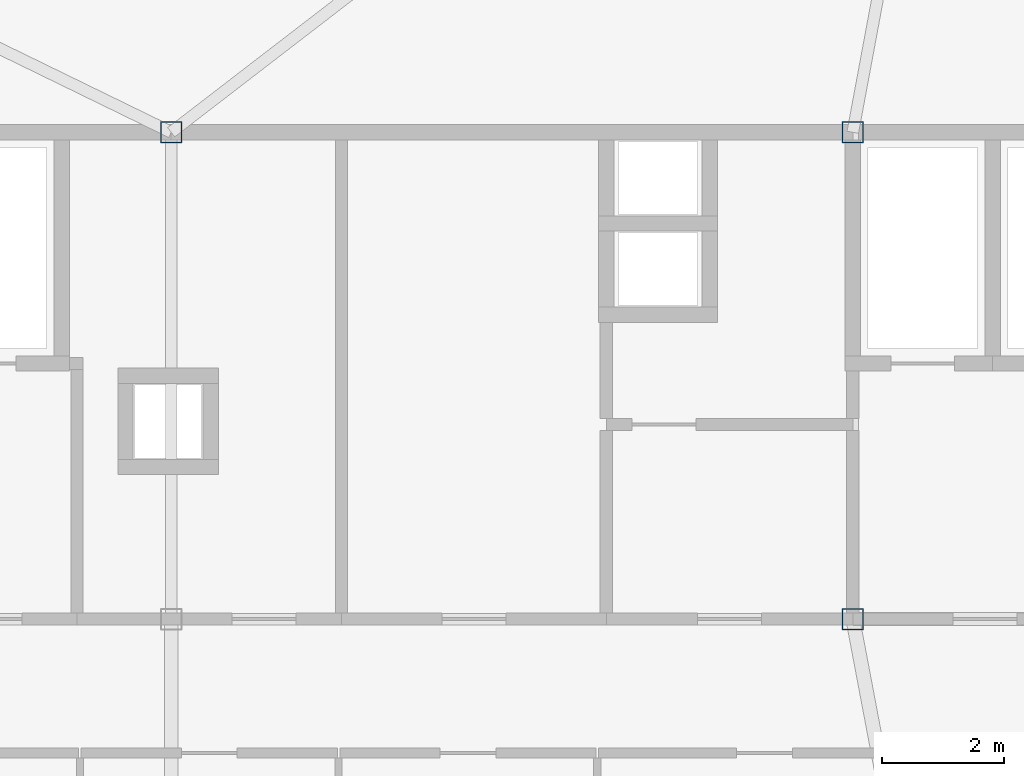
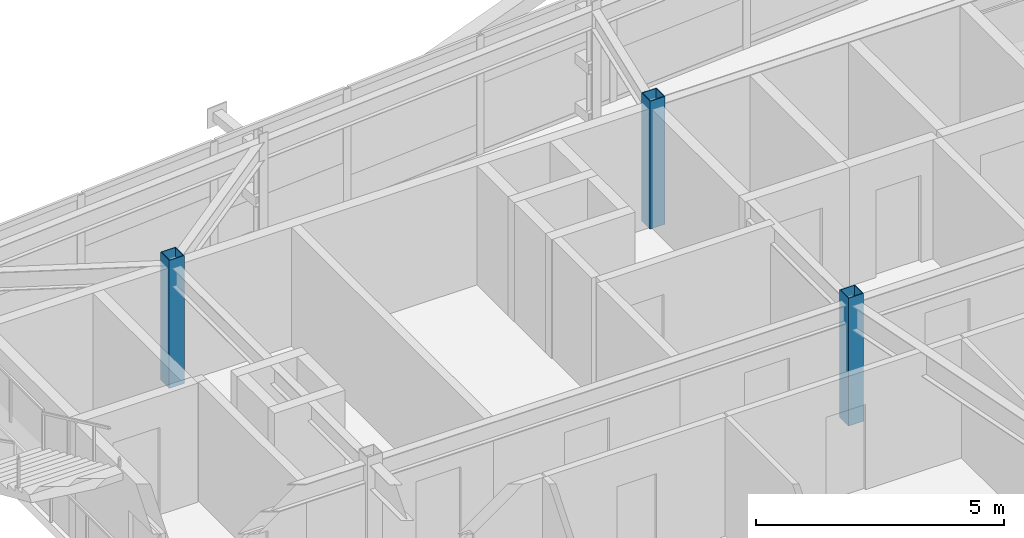
# One storey, part 3 of 44: 3 columns.
"""IFC4 building model written with IfcOpenShell, lengths in metres."""

from ifc_helpers import new_model, si_unit, direction, frame, origin, origin_2d, place, context, subcontext, project, spatial, hollow_rectangle, extrude, source, transform, mapped, material, material_profile, profile_set, type_object, element, save


model = new_model("IFC4")

# Units and contexts
model_context = context("Model", 3, precision=1e-05, world=origin(), true_north=direction((0.0, 1.0)))
body_context = subcontext(model_context, "Body", "Model", "MODEL_VIEW")
ifc_project = project(units=[si_unit("LENGTHUNIT", "METRE"), si_unit("AREAUNIT", "SQUARE_METRE"), si_unit("VOLUMEUNIT", "CUBIC_METRE"), si_unit("PLANEANGLEUNIT", "RADIAN"), si_unit("MASSUNIT", "GRAM", prefix="KILO")], contexts=[model_context])

# Site, building, storey
site_placement = place(None, origin())
site = spatial("IfcSite", under=ifc_project, at=site_placement, CompositionType="ELEMENT")
building_placement = place(site_placement, origin())
building = spatial("IfcBuilding", under=site, at=building_placement, Name="Taldren Reach Tower", CompositionType="ELEMENT")
storey_placement = place(building_placement, frame((0.0, 0.0, 191.449951171875)))
storey = spatial("IfcBuildingStorey", under=building, at=storey_placement, Name="L58", CompositionType="ELEMENT", Elevation=191.449951171875)

# Columns
ifc_material = material(Name="Steel Gr 450 (C450L0)", Category="steel")
ifc_material_profile = material_profile(ifc_material, hollow_rectangle(XDim=0.35009765625, YDim=0.35009765625, WallThickness=0.01611328125, at=origin_2d()), Name="350x350x16.0SHS")
ifc_profile_set = profile_set([ifc_material_profile], Name="Steel Gr 450 (C450L0)")
column_type = type_object("IfcColumnType", Name="COL-SHS350", PredefinedType="COLUMN", material=ifc_profile_set)
shared_shape = source(origin(), body_context, "Body", "SweptSolid", [
    extrude(hollow_rectangle(XDim=0.35009765625, YDim=0.35009765625, WallThickness=0.01611328125, at=origin_2d()), origin(), (0.0, 0.0, 1.0), 3.150146484375),
])
for number, where, z_axis, x_axis, name in (
    (1, (39.199951171875, 24.0, 0.0), (0.0, 0.0, 1.0), (1.0, 0.0, 0.0), "Mega column MC-C3 L58"),
    (2, (28.0, 32.0, 0.0), (0.0, 0.0, 1.0), (1.0, 0.0, 0.0), "Mega column MC-C6 L58"),
    (3, (39.199951171875, 32.0, 0.0), (0.0, 0.0, 1.0), (1.0, 0.0, 0.0), "Mega column MC-C7 L58"),
):
    element("IfcColumn", number, at=place(storey_placement, frame(where, z_axis=z_axis, x_axis=x_axis)), inside=storey, type_object=column_type, Name=name, PredefinedType="COLUMN", context=body_context, shape_type="MappedRepresentation", body=[
        mapped(shared_shape, transform((0.0, 0.0, 0.0), scale=1.0)),
    ])

save(model, "model.ifc")
